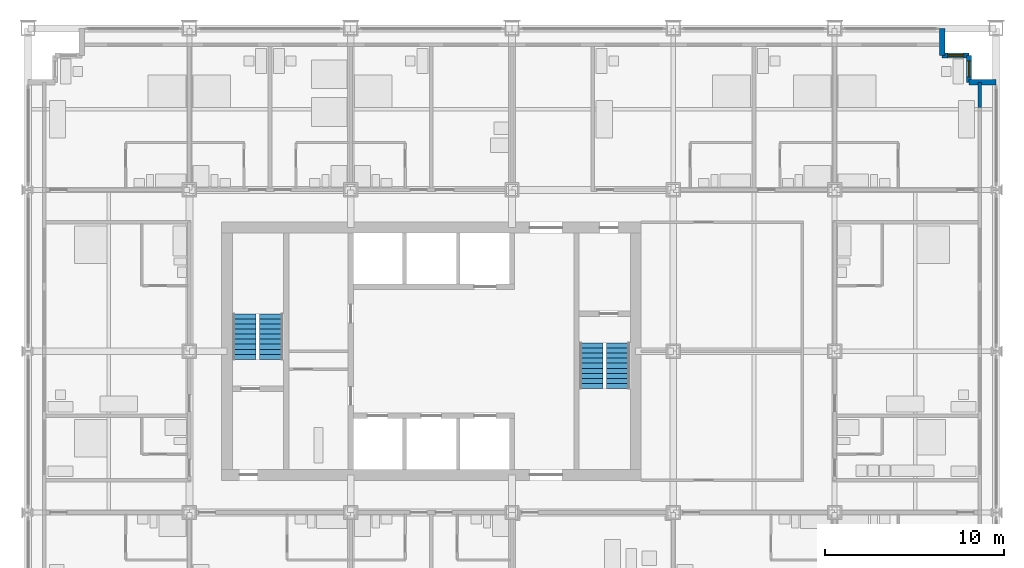
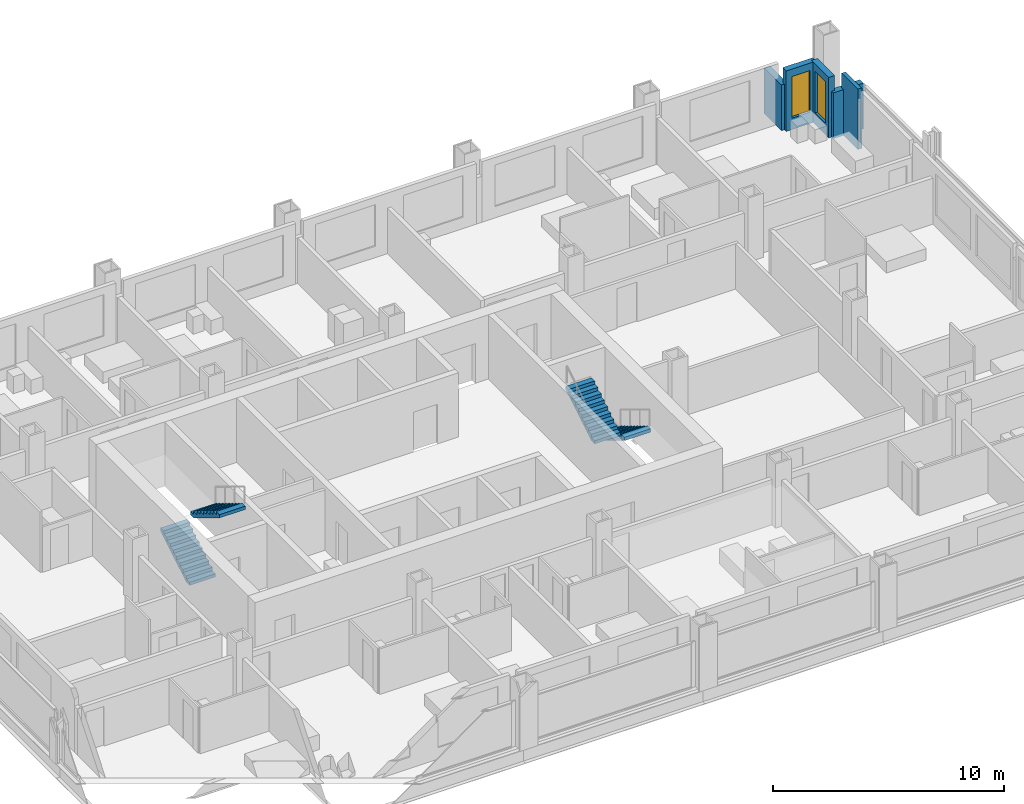
# One storey, part 15 of 18: 5 walls, 4 stair flights, 2 windows, 2 openings, 2 elements without a shape of their own.
"""IFC4 building model written with IfcOpenShell, lengths in metres."""

from ifc_helpers import new_model, si_unit, direction, frame, frame_2d, origin, place, context, subcontext, project, spatial, polyline, rectangle, outline, extrude, material, layer, layer_set, type_object, element, fill, aggregate, save


model = new_model("IFC4")

# Units and contexts
model_context = context("Model", 3, precision=1e-05, world=origin(), true_north=direction((0.0, 1.0)))
body_context = subcontext(model_context, "Body", "Model", "MODEL_VIEW")
ifc_project = project(units=[si_unit("LENGTHUNIT", "METRE"), si_unit("AREAUNIT", "SQUARE_METRE"), si_unit("VOLUMEUNIT", "CUBIC_METRE"), si_unit("PLANEANGLEUNIT", "RADIAN"), si_unit("MASSUNIT", "GRAM", prefix="KILO")], contexts=[model_context])

# Site, building, storey
site_placement = place(None, origin())
site = spatial("IfcSite", under=ifc_project, at=site_placement, CompositionType="ELEMENT")
building_placement = place(site_placement, origin())
building = spatial("IfcBuilding", under=site, at=building_placement, Name="Loomwork Tower", CompositionType="ELEMENT")
storey_placement = place(building_placement, frame((0.0, 0.0, 68.800048828125)))
storey = spatial("IfcBuildingStorey", under=building, at=storey_placement, Name="L17", CompositionType="ELEMENT", Elevation=68.800048828125)

# Walls
ifc_material_1 = material(Name="Insulated steel stud wall with gypsum lining", Category="steel")
ifc_layer_1 = layer(ifc_material_1, 0.199951171875)
ifc_layer_set_1 = layer_set([ifc_layer_1], Name="Inner skin wall 200")
wall_type_1 = type_object("IfcWallType", Name="Inner skin wall 200", PredefinedType="SOLIDWALL", material=ifc_layer_set_1)
wall_1_placement = place(storey_placement, frame((53.10009765625, 31.607421875, 0.0), z_axis=(0.0, 0.0, 1.0), x_axis=(0.0, 1.0, 0.0)))
element("IfcWall", 1, at=wall_1_placement, inside=storey, type_object=wall_type_1, Name="Inner skin wall E bay 11", PredefinedType="SOLIDWALL", context=body_context, shape_type="SweptSolid", body=[
    extrude(rectangle(XDim=1.392578125, YDim=0.199951171875, at=frame_2d((0.6962890625, 0.0))), origin(), (0.0, 0.0, 1.0), 3.199951171875),
])
ifc_material_2 = material(Name="Limestone on concrete masonry", Category="masonry")
ifc_layer_2 = layer(ifc_material_2, 0.300048828125)
ifc_layer_set_2 = layer_set([ifc_layer_2], Name="Limestone corner wall 300")
wall_type_2 = type_object("IfcWallType", Name="Limestone corner wall 300", PredefinedType="SOLIDWALL", material=ifc_layer_set_2)
wall_2_placement = place(storey_placement, frame((54.0, 33.0, 0.0), z_axis=(0.0, 0.0, 1.0), x_axis=(-1.0, 0.0, 0.0)))
element("IfcWall", 2, at=wall_2_placement, inside=storey, type_object=wall_type_2, Name="Stone corner wall NE 1", PredefinedType="SOLIDWALL", context=body_context, shape_type="SweptSolid", body=[
    extrude(rectangle(XDim=1.5, YDim=0.300048828125, at=frame_2d((0.75, 0.0))), origin(), (0.0, 0.0, 1.0), 2.419921875),
])

# Wall, opening, window
wall_3_placement = place(storey_placement, frame((52.5, 33.0, 0.0), z_axis=(0.0, 0.0, 1.0), x_axis=(0.0, 1.0, 0.0)))
wall_3 = element("IfcWall", 3, at=wall_3_placement, inside=storey, type_object=wall_type_2, Name="Stone corner wall NE 2", PredefinedType="SOLIDWALL", context=body_context, shape_type="SweptSolid", body=[
    extrude(rectangle(XDim=1.5, YDim=0.300048828125, at=frame_2d((0.75, 0.0))), origin(), (0.0, 0.0, 1.0), 3.199951171875),
])
opening_1_placement = place(wall_3_placement, frame((0.300048828125, 0.0, 0.60009765625)))
opening_1 = element("IfcOpeningElement", 4, at=opening_1_placement, cuts=wall_3, Name="Opening CH2", PredefinedType="OPENING", context=body_context, shape_type="SweptSolid", body=[
    extrude(rectangle(XDim=0.89990234375, YDim=2.199951171875, at=frame_2d((0.449951171875, 1.10009765625))), frame((0.0, 0.159912109375, 0.0), z_axis=(0.0, -1.0, 0.0), x_axis=(1.0, 0.0, 0.0)), (0.0, 0.0, 1.0), 0.320068359375),
])
ifc_material_3 = material(Name="Aluminium frame with clear insulated glass", Category="aluminium")
window_type = type_object("IfcWindowType", Name="Corner window 900", PartitioningType="SINGLE_PANEL", PredefinedType="WINDOW", material=ifc_material_3)
window_1_placement = place(opening_1_placement, origin())
window_1 = element("IfcWindow", 5, at=window_1_placement, inside=storey, type_object=window_type, Name="Corner window NE", OverallHeight=2.199951171875, OverallWidth=0.89990234375, PartitioningType="SINGLE_PANEL", PredefinedType="WINDOW", context=body_context, shape_type="SweptSolid", body=[
    extrude(rectangle(XDim=0.89990234375, YDim=2.199951171875, at=frame_2d((0.449951171875, 1.10009765625))), frame((0.0, 0.030029296875, 0.0), z_axis=(0.0, -1.0, 0.0), x_axis=(1.0, 0.0, 0.0)), (0.0, 0.0, 1.0), 0.06005859375),
])
fill(opening_1, window_1)

wall_4_placement = place(storey_placement, frame((52.5, 34.5, 0.0), z_axis=(0.0, 0.0, 1.0), x_axis=(-1.0, 0.0, 0.0)))
wall_4 = element("IfcWall", 6, at=wall_4_placement, inside=storey, type_object=wall_type_2, Name="Stone corner wall NE 3", PredefinedType="SOLIDWALL", context=body_context, shape_type="SweptSolid", body=[
    extrude(rectangle(XDim=1.5, YDim=0.300048828125, at=frame_2d((0.75, 0.0))), origin(), (0.0, 0.0, 1.0), 3.199951171875),
])
opening_2_placement = place(wall_4_placement, frame((0.300048828125, 0.0, 0.60009765625)))
opening_2 = element("IfcOpeningElement", 7, at=opening_2_placement, cuts=wall_4, Name="Opening CH2", PredefinedType="OPENING", context=body_context, shape_type="SweptSolid", body=[
    extrude(rectangle(XDim=0.89990234375, YDim=2.199951171875, at=frame_2d((0.449951171875, 1.10009765625))), frame((0.0, 0.159912109375, 0.0), z_axis=(0.0, -1.0, 0.0), x_axis=(1.0, 0.0, 0.0)), (0.0, 0.0, 1.0), 0.320068359375),
])
window_2_placement = place(opening_2_placement, origin())
window_2 = element("IfcWindow", 8, at=window_2_placement, inside=storey, type_object=window_type, Name="Corner window NE", OverallHeight=2.199951171875, OverallWidth=0.89990234375, PartitioningType="SINGLE_PANEL", PredefinedType="WINDOW", context=body_context, shape_type="SweptSolid", body=[
    extrude(rectangle(XDim=0.89990234375, YDim=2.199951171875, at=frame_2d((0.449951171875, 1.10009765625))), frame((0.0, 0.030029296875, 0.0), z_axis=(0.0, -1.0, 0.0), x_axis=(1.0, 0.0, 0.0)), (0.0, 0.0, 1.0), 0.06005859375),
])
fill(opening_2, window_2)

# Wall
wall_5_placement = place(storey_placement, frame((51.0, 34.5, 0.0), z_axis=(0.0, 0.0, 1.0), x_axis=(0.0, 1.0, 0.0)))
element("IfcWall", 9, at=wall_5_placement, inside=storey, type_object=wall_type_2, Name="Stone corner wall NE 4", PredefinedType="SOLIDWALL", context=body_context, shape_type="SweptSolid", body=[
    extrude(rectangle(XDim=1.5, YDim=0.300048828125, at=frame_2d((0.75, 0.0))), origin(), (0.0, 0.0, 1.0), 2.419921875),
])

# Stair, stair flights
ifc_material_4 = material(Name="Concrete 5000 psi (34 MPa) precast stair", Category="concrete")
stair_type_1 = type_object("IfcStairType", Name="Stair ST-A 20 risers 2850 wide", PredefinedType="HALF_TURN_STAIR", material=ifc_material_4)
stair_1_placement = place(storey_placement, origin())
stair_1 = element("IfcStair", 10, at=stair_1_placement, inside=storey, type_object=stair_type_1, Name="Stair A L17", PredefinedType="HALF_TURN_STAIR")
ifc_material_5 = material(Name="Concrete 5000 psi (34 MPa) precast stair", Category="concrete")
stair_flight_type_1 = type_object("IfcStairFlightType", Name="Stair flight ST-A 10 risers 1300 wide", PredefinedType="STRAIGHT", material=ifc_material_5)
stair_flight_1_placement = place(storey_placement, frame((12.074951171875, 17.550048828125, 0.0), z_axis=(0.0, 0.0, 1.0), x_axis=(0.0, 1.0, 0.0)))
stair_flight_1 = element("IfcStairFlight", 11, at=stair_flight_1_placement, type_object=stair_flight_type_1, Name="ST-A flight 1", NumberOfRisers=10, NumberOfTreads=9, PredefinedType="STRAIGHT", RiserHeight=0.17, TreadLength=0.28, context=body_context, shape_type="SweptSolid", body=[
    extrude(outline(polyline([(0.0, 0.0), (0.0, 0.169921875), (0.280029296875, 0.169921875), (0.280029296875, 0.340087890625), (0.56005859375, 0.340087890625), (0.56005859375, 0.510009765625), (0.840087890625, 0.510009765625), (0.840087890625, 0.679931640625), (1.1201171875, 0.679931640625), (1.1201171875, 0.85009765625), (1.39990234375, 0.85009765625), (1.39990234375, 1.02001953125), (1.679931640625, 1.02001953125), (1.679931640625, 1.18994140625), (1.9599609375, 1.18994140625), (1.9599609375, 1.360107421875), (2.239990234375, 1.360107421875), (2.239990234375, 1.530029296875), (2.52001953125, 1.530029296875), (2.52001953125, 1.699951171875), (2.52001953125, 1.354736328125), (0.288818359375, 0.0), (0.0, 0.0)])), frame((0.0, 0.64990234375, 0.0), z_axis=(0.0, -1.0, 0.0), x_axis=(1.0, 0.0, 0.0)), (0.0, 0.0, 1.0), 1.300048828125),
])
stair_flight_2_placement = place(storey_placement, frame((13.574951171875, 20.070068359375, 1.699951171875), z_axis=(0.0, 0.0, 1.0), x_axis=(0.0, -1.0, 0.0)))
stair_flight_2 = element("IfcStairFlight", 12, at=stair_flight_2_placement, type_object=stair_flight_type_1, Name="ST-A flight 2", NumberOfRisers=10, NumberOfTreads=9, PredefinedType="STRAIGHT", RiserHeight=0.17, TreadLength=0.28, context=body_context, shape_type="SweptSolid", body=[
    extrude(outline(polyline([(0.0, 0.0), (0.0, 0.169921875), (0.280029296875, 0.169921875), (0.280029296875, 0.340087890625), (0.56005859375, 0.340087890625), (0.56005859375, 0.510009765625), (0.840087890625, 0.510009765625), (0.840087890625, 0.679931640625), (1.1201171875, 0.679931640625), (1.1201171875, 0.85009765625), (1.39990234375, 0.85009765625), (1.39990234375, 1.02001953125), (1.679931640625, 1.02001953125), (1.679931640625, 1.18994140625), (1.9599609375, 1.18994140625), (1.9599609375, 1.360107421875), (2.239990234375, 1.360107421875), (2.239990234375, 1.530029296875), (2.52001953125, 1.530029296875), (2.52001953125, 1.699951171875), (2.52001953125, 1.354736328125), (0.288818359375, 0.0), (0.0, 0.0)])), frame((0.0, 0.64990234375, 0.0), z_axis=(0.0, -1.0, 0.0), x_axis=(1.0, 0.0, 0.0)), (0.0, 0.0, 1.0), 1.300048828125),
])
aggregate(stair_1, [stair_flight_1, stair_flight_2])

ifc_material_6 = material(Name="Concrete 5000 psi (34 MPa) precast stair", Category="concrete")
stair_type_2 = type_object("IfcStairType", Name="Stair ST-B 20 risers 2850 wide", PredefinedType="HALF_TURN_STAIR", material=ifc_material_6)
stair_2_placement = place(storey_placement, origin())
stair_2 = element("IfcStair", 13, at=stair_2_placement, inside=storey, type_object=stair_type_2, Name="Stair B L17", PredefinedType="HALF_TURN_STAIR")
ifc_material_7 = material(Name="Concrete 5000 psi (34 MPa) precast stair", Category="concrete")
stair_flight_type_2 = type_object("IfcStairFlightType", Name="Stair flight ST-B 10 risers 1300 wide", PredefinedType="STRAIGHT", material=ifc_material_7)
stair_flight_3_placement = place(storey_placement, frame((32.925048828125, 18.449951171875, 0.0), z_axis=(0.0, 0.0, 1.0), x_axis=(0.0, -1.0, 0.0)))
stair_flight_3 = element("IfcStairFlight", 14, at=stair_flight_3_placement, type_object=stair_flight_type_2, Name="ST-B flight 1", NumberOfRisers=10, NumberOfTreads=9, PredefinedType="STRAIGHT", RiserHeight=0.17, TreadLength=0.28, context=body_context, shape_type="SweptSolid", body=[
    extrude(outline(polyline([(0.0, 0.0), (0.0, 0.169921875), (0.280029296875, 0.169921875), (0.280029296875, 0.340087890625), (0.56005859375, 0.340087890625), (0.56005859375, 0.510009765625), (0.840087890625, 0.510009765625), (0.840087890625, 0.679931640625), (1.1201171875, 0.679931640625), (1.1201171875, 0.85009765625), (1.39990234375, 0.85009765625), (1.39990234375, 1.02001953125), (1.679931640625, 1.02001953125), (1.679931640625, 1.18994140625), (1.9599609375, 1.18994140625), (1.9599609375, 1.360107421875), (2.239990234375, 1.360107421875), (2.239990234375, 1.530029296875), (2.52001953125, 1.530029296875), (2.52001953125, 1.699951171875), (2.52001953125, 1.354736328125), (0.288818359375, 0.0), (0.0, 0.0)])), frame((0.0, 0.64990234375, 0.0), z_axis=(0.0, -1.0, 0.0), x_axis=(1.0, 0.0, 0.0)), (0.0, 0.0, 1.0), 1.300048828125),
])
stair_flight_4_placement = place(storey_placement, frame((31.425048828125, 15.929931640625, 1.699951171875), z_axis=(0.0, 0.0, 1.0), x_axis=(0.0, 1.0, 0.0)))
stair_flight_4 = element("IfcStairFlight", 15, at=stair_flight_4_placement, type_object=stair_flight_type_2, Name="ST-B flight 2", NumberOfRisers=10, NumberOfTreads=9, PredefinedType="STRAIGHT", RiserHeight=0.17, TreadLength=0.28, context=body_context, shape_type="SweptSolid", body=[
    extrude(outline(polyline([(0.0, 0.0), (0.0, 0.169921875), (0.280029296875, 0.169921875), (0.280029296875, 0.340087890625), (0.56005859375, 0.340087890625), (0.56005859375, 0.510009765625), (0.840087890625, 0.510009765625), (0.840087890625, 0.679931640625), (1.1201171875, 0.679931640625), (1.1201171875, 0.85009765625), (1.39990234375, 0.85009765625), (1.39990234375, 1.02001953125), (1.679931640625, 1.02001953125), (1.679931640625, 1.18994140625), (1.9599609375, 1.18994140625), (1.9599609375, 1.360107421875), (2.239990234375, 1.360107421875), (2.239990234375, 1.530029296875), (2.52001953125, 1.530029296875), (2.52001953125, 1.699951171875), (2.52001953125, 1.354736328125), (0.288818359375, 0.0), (0.0, 0.0)])), frame((0.0, 0.64990234375, 0.0), z_axis=(0.0, -1.0, 0.0), x_axis=(1.0, 0.0, 0.0)), (0.0, 0.0, 1.0), 1.300048828125),
])
aggregate(stair_2, [stair_flight_3, stair_flight_4])

save(model, "model.ifc")
